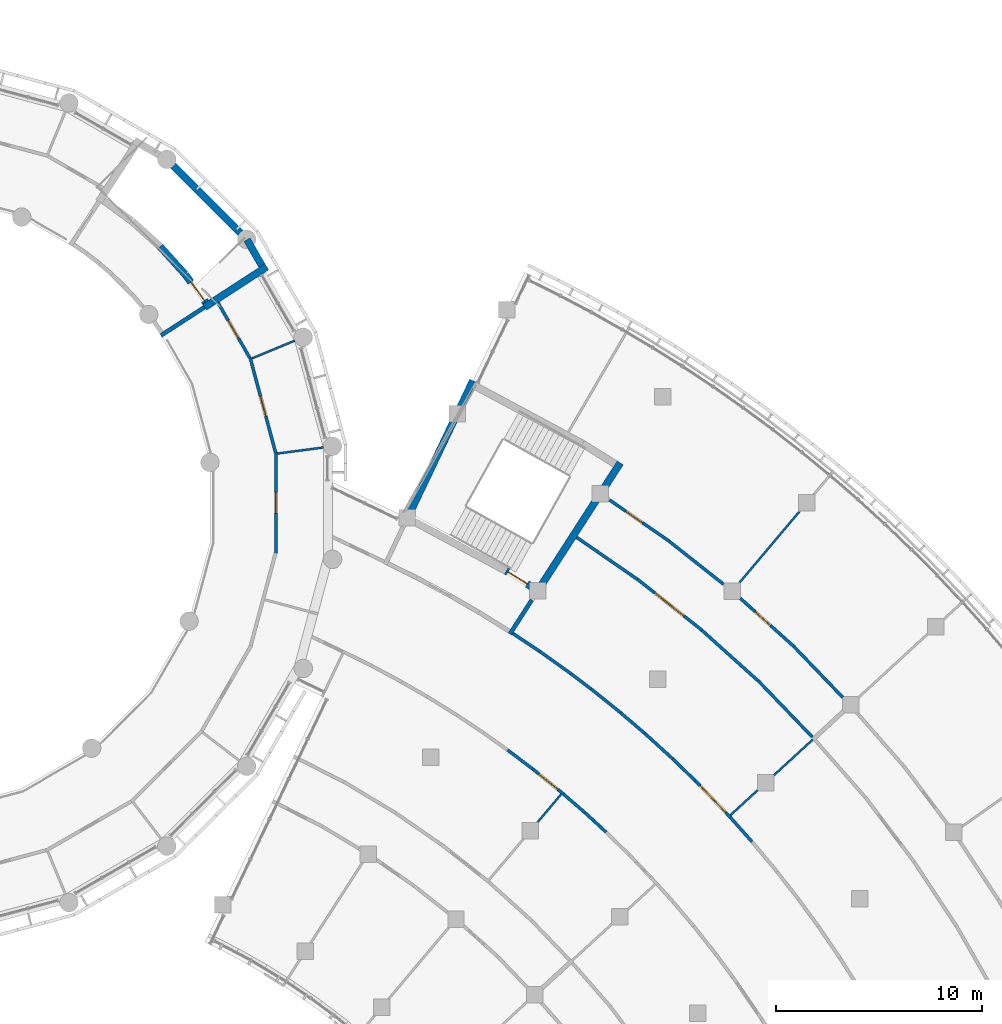
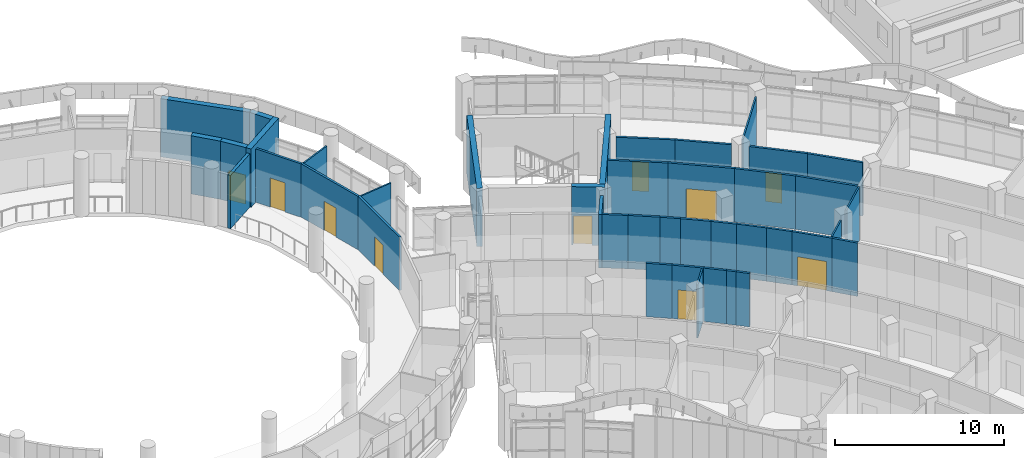
# One storey, part 51 of 109: 41 walls, 10 doors, 10 openings.
"""IFC4 building model written with IfcOpenShell, lengths in metres."""

from ifc_helpers import new_model, si_unit, direction, frame, frame_2d, origin, place, context, subcontext, project, spatial, rectangle, extrude, material, layer, layer_set, type_object, element, fill, save


model = new_model("IFC4")

# Units and contexts
model_context = context("Model", 3, precision=1e-05, world=origin(), true_north=direction((0.0, 1.0)))
body_context = subcontext(model_context, "Body", "Model", "MODEL_VIEW")
ifc_project = project(units=[si_unit("LENGTHUNIT", "METRE"), si_unit("AREAUNIT", "SQUARE_METRE"), si_unit("VOLUMEUNIT", "CUBIC_METRE"), si_unit("PLANEANGLEUNIT", "RADIAN"), si_unit("MASSUNIT", "GRAM", prefix="KILO")], contexts=[model_context])

# Site, building, storey
site_placement = place(None, origin())
site = spatial("IfcSite", under=ifc_project, at=site_placement, CompositionType="ELEMENT")
building_placement = place(site_placement, origin())
building = spatial("IfcBuilding", under=site, at=building_placement, Name="Bougainvillea Quay General Hospital", CompositionType="ELEMENT")
storey_placement = place(building_placement, frame((0.0, 0.0, 12.60009765625)))
storey = spatial("IfcBuildingStorey", under=building, at=storey_placement, Name="L02", CompositionType="ELEMENT", Elevation=12.60009765625)

# Walls
ifc_material_1 = material(Name="Gypsum board partition on steel studs", Category="steel")
ifc_layer_1 = layer(ifc_material_1, 0.10009765625)
ifc_layer_set_1 = layer_set([ifc_layer_1], Name="Gypsum board partition on steel studs")
wall_type_1 = type_object("IfcWallType", Name="Partition 100 Gypsum board partition", PredefinedType="PARTITIONING", material=ifc_layer_set_1)
wall_1_placement = place(storey_placement, frame((149.322998046875, 58.848388671875, 0.0), z_axis=(0.0, 0.0, 1.0), x_axis=(0.736546569723, 0.676386835051, 0.0)))
element("IfcWall", 1, at=wall_1_placement, inside=storey, type_object=wall_type_1, Name="Partition 100 mm", PredefinedType="PARTITIONING", context=body_context, shape_type="SweptSolid", body=[
    extrude(rectangle(XDim=1.78564453125, YDim=0.10009765625, at=frame_2d((0.892822265625, 0.0))), origin(), (0.0, 0.0, 1.0), 3.849853515625),
])
wall_2_placement = place(storey_placement, frame((151.4306640625, 60.783935546875, 0.0), z_axis=(0.0, 0.0, 1.0), x_axis=(0.736546419356, 0.676386998791, 0.0)))
element("IfcWall", 2, at=wall_2_placement, inside=storey, type_object=wall_type_1, Name="Partition 100 mm", PredefinedType="PARTITIONING", context=body_context, shape_type="SweptSolid", body=[
    extrude(rectangle(XDim=2.552734375, YDim=0.10009765625, at=frame_2d((1.2763671875, 0.0))), origin(), (0.0, 0.0, 1.0), 3.849853515625),
])
ifc_layer_2 = layer(ifc_material_1, 0.10009765625)
ifc_layer_set_2 = layer_set([ifc_layer_2], Name="Gypsum board partition on steel studs")
wall_type_2 = type_object("IfcWallType", Name="Partition 100 Gypsum board partition EI 30", PredefinedType="PARTITIONING", material=ifc_layer_set_2)
wall_3_placement = place(storey_placement, frame((149.775390625, 70.144287109375, 0.0), z_axis=(0.0, 0.0, 1.0), x_axis=(0.644456563642, 0.764640920681, 0.0)))
element("IfcWall", 3, at=wall_3_placement, inside=storey, type_object=wall_type_2, Name="Partition 100 mm EI 30", PredefinedType="PARTITIONING", context=body_context, shape_type="SweptSolid", body=[
    extrude(rectangle(XDim=4.47509765625, YDim=0.10009765625, at=frame_2d((2.237548828125, 0.0))), origin(), (0.0, 0.0, 1.0), 3.849853515625),
])
wall_4_placement = place(storey_placement, frame((139.98046875, 58.522216796875, 0.0), z_axis=(0.0, 0.0, 1.0), x_axis=(0.644495278204, 0.7646082895, 0.0)))
element("IfcWall", 4, at=wall_4_placement, inside=storey, type_object=wall_type_2, Name="Partition 100 mm EI 30", PredefinedType="PARTITIONING", context=body_context, shape_type="SweptSolid", body=[
    extrude(rectangle(XDim=1.756103515625, YDim=0.10009765625, at=frame_2d((0.8779296875, 0.0))), origin(), (0.0, 0.0, 1.0), 3.849853515625),
])
wall_5_placement = place(storey_placement, frame((126.11572265625, 81.00634765625, 0.0), z_axis=(0.0, 0.0, 1.0), x_axis=(0.923835070081, 0.382790756536, 0.0)))
element("IfcWall", 5, at=wall_5_placement, inside=storey, type_object=wall_type_2, Name="Partition 100 mm EI 30", PredefinedType="PARTITIONING", context=body_context, shape_type="SweptSolid", body=[
    extrude(rectangle(XDim=2.2431640625, YDim=0.10009765625, at=frame_2d((1.12158203125, 0.0))), origin(), (0.0, 0.0, 1.0), 3.849853515625),
])
wall_6_placement = place(storey_placement, frame((127.353515625, 76.390625, 0.0), z_axis=(0.0, 0.0, 1.0), x_axis=(0.991472443169, 0.130316516358, 0.0)))
element("IfcWall", 6, at=wall_6_placement, inside=storey, type_object=wall_type_2, Name="Partition 100 mm EI 30", PredefinedType="PARTITIONING", context=body_context, shape_type="SweptSolid", body=[
    extrude(rectangle(XDim=2.242431640625, YDim=0.10009765625, at=frame_2d((1.12109375, 0.0))), origin(), (0.0, 0.0, 1.0), 3.849853515625),
])

# Wall, opening, door
ifc_material_2 = material(Name="Gypsum board partition on steel studs, insulated", Category="steel")
ifc_layer_3 = layer(ifc_material_2, 0.14990234375)
ifc_layer_set_3 = layer_set([ifc_layer_3], Name="Gypsum board partition on steel studs, insulated")
wall_type_3 = type_object("IfcWallType", Name="Partition 150 Gypsum board partition EI 30", PredefinedType="PARTITIONING", material=ifc_layer_set_3)
wall_7_placement = place(storey_placement, frame((127.27197265625, 71.544921875, 0.0), z_axis=(0.0, 0.0, 1.0), x_axis=(0.0, 1.0, 0.0)))
wall_7 = element("IfcWall", 7, at=wall_7_placement, inside=storey, type_object=wall_type_3, Name="Partition 150 mm EI 30", PredefinedType="PARTITIONING", context=body_context, shape_type="SweptSolid", body=[
    extrude(rectangle(XDim=4.91015625, YDim=0.14990234375, at=frame_2d((2.455078125, 0.0))), origin(), (0.0, 0.0, 1.0), 3.849853515625),
])
opening_1_placement = place(wall_7_placement, frame((1.955078125, 0.0, 0.0)))
opening_1 = element("IfcOpeningElement", 8, at=opening_1_placement, cuts=wall_7, Name="Opening L02.250", PredefinedType="OPENING", context=body_context, shape_type="SweptSolid", body=[
    extrude(rectangle(XDim=1.0, YDim=2.10009765625, at=frame_2d((0.5, 1.050048828125))), frame((0.0, 0.0849609375, 0.0), z_axis=(0.0, -1.0, 0.0), x_axis=(1.0, 0.0, 0.0)), (0.0, 0.0, 1.0), 0.169921875),
])
ifc_material_3 = material(Name="Solid-core timber door leaf in steel frame", Category="steel")
door_type_1 = type_object("IfcDoorType", Name="Single leaf door 1000x2100 FD30S", OperationType="NOTDEFINED", PredefinedType="DOOR", material=ifc_material_3)
door_1_placement = place(opening_1_placement, frame((1.0, 0.0, 0.0), z_axis=(0.0, 0.0, 1.0), x_axis=(-1.0, 0.0, 0.0)))
door_1 = element("IfcDoor", 9, at=door_1_placement, inside=storey, type_object=door_type_1, Name="DT15 L02.250", OperationType="SINGLE_SWING_RIGHT", OverallHeight=2.10009765625, OverallWidth=1.0, PredefinedType="DOOR", context=body_context, shape_type="SweptSolid", body=[
    extrude(rectangle(XDim=1.0, YDim=2.10009765625, at=frame_2d((0.5, 1.050048828125))), frame((0.0, 0.02490234375, 0.0), z_axis=(0.0, -1.0, 0.0), x_axis=(1.0, 0.0, 0.0)), (0.0, 0.0, 1.0), 0.050048828125),
])
fill(opening_1, door_1)

wall_8_placement = place(storey_placement, frame((126.0205078125, 81.04736328125, 0.0), z_axis=(0.0, 0.0, 1.0), x_axis=(0.259008724248, -0.965874981953, 0.0)))
wall_8 = element("IfcWall", 10, at=wall_8_placement, inside=storey, type_object=wall_type_3, Name="Partition 150 mm EI 30", PredefinedType="PARTITIONING", context=body_context, shape_type="SweptSolid", body=[
    extrude(rectangle(XDim=4.774169921875, YDim=0.14990234375, at=frame_2d((2.38720703125, 0.0))), origin(), (0.0, 0.0, 1.0), 3.849853515625),
])
opening_2_placement = place(wall_8_placement, frame((1.95361328125, 0.0, 0.0)))
opening_2 = element("IfcOpeningElement", 11, at=opening_2_placement, cuts=wall_8, Name="Opening L02.251", PredefinedType="OPENING", context=body_context, shape_type="SweptSolid", body=[
    extrude(rectangle(XDim=1.0, YDim=2.10009765625, at=frame_2d((0.5, 1.050048828125))), frame((0.0, 0.0849609375, 0.0), z_axis=(0.0, -1.0, 0.0), x_axis=(1.0, 0.0, 0.0)), (0.0, 0.0, 1.0), 0.169921875),
])
door_2_placement = place(opening_2_placement, origin())
door_2 = element("IfcDoor", 12, at=door_2_placement, inside=storey, type_object=door_type_1, Name="DT15 L02.251", OperationType="SINGLE_SWING_RIGHT", OverallHeight=2.10009765625, OverallWidth=1.0, PredefinedType="DOOR", context=body_context, shape_type="SweptSolid", body=[
    extrude(rectangle(XDim=1.0, YDim=2.10009765625, at=frame_2d((0.5, 1.050048828125))), frame((0.0, 0.02490234375, 0.0), z_axis=(0.0, -1.0, 0.0), x_axis=(1.0, 0.0, 0.0)), (0.0, 0.0, 1.0), 0.050048828125),
])
fill(opening_2, door_2)

wall_9_placement = place(storey_placement, frame((149.79736328125, 69.36865234375, 0.0), z_axis=(0.0, 0.0, 1.0), x_axis=(0.743767308426, -0.668438621652, 0.0)))
wall_9 = element("IfcWall", 13, at=wall_9_placement, inside=storey, type_object=wall_type_3, Name="Partition 150 mm EI 30", PredefinedType="PARTITIONING", context=body_context, shape_type="SweptSolid", body=[
    extrude(rectangle(XDim=3.5390625, YDim=0.14990234375, at=frame_2d((1.76953125, 0.0))), origin(), (0.0, 0.0, 1.0), 3.849853515625),
])
opening_3_placement = place(wall_9_placement, frame((0.973876953125, 0.0, 0.0)))
opening_3 = element("IfcOpeningElement", 14, at=opening_3_placement, cuts=wall_9, Name="Opening L02.222", PredefinedType="OPENING", context=body_context, shape_type="SweptSolid", body=[
    extrude(rectangle(XDim=1.0, YDim=2.10009765625, at=frame_2d((0.5, 1.050048828125))), frame((0.0, 0.0849609375, 0.0), z_axis=(0.0, -1.0, 0.0), x_axis=(1.0, 0.0, 0.0)), (0.0, 0.0, 1.0), 0.169921875),
])
door_3_placement = place(opening_3_placement, origin())
door_3 = element("IfcDoor", 15, at=door_3_placement, inside=storey, type_object=door_type_1, Name="DT15 L02.222", OperationType="SINGLE_SWING_LEFT", OverallHeight=2.10009765625, OverallWidth=1.0, PredefinedType="DOOR", context=body_context, shape_type="SweptSolid", body=[
    extrude(rectangle(XDim=1.0, YDim=2.10009765625, at=frame_2d((0.5, 1.050048828125))), frame((0.0, 0.02490234375, 0.0), z_axis=(0.0, -1.0, 0.0), x_axis=(1.0, 0.0, 0.0)), (0.0, 0.0, 1.0), 0.050048828125),
])
fill(opening_3, door_3)

wall_10_placement = place(storey_placement, frame((143.455810546875, 74.138671875, 0.0), z_axis=(0.0, 0.0, 1.0), x_axis=(0.822701427784, -0.568473711549, 0.0)))
wall_10 = element("IfcWall", 16, at=wall_10_placement, inside=storey, type_object=wall_type_3, Name="Partition 150 mm EI 30", PredefinedType="PARTITIONING", context=body_context, shape_type="SweptSolid", body=[
    extrude(rectangle(XDim=3.5185546875, YDim=0.14990234375, at=frame_2d((1.75927734375, 0.0))), origin(), (0.0, 0.0, 1.0), 3.849853515625),
])
opening_4_placement = place(wall_10_placement, frame((0.953369140625, 0.0, 0.0)))
opening_4 = element("IfcOpeningElement", 17, at=opening_4_placement, cuts=wall_10, Name="Opening L02.221", PredefinedType="OPENING", context=body_context, shape_type="SweptSolid", body=[
    extrude(rectangle(XDim=1.0, YDim=2.10009765625, at=frame_2d((0.5, 1.050048828125))), frame((0.0, 0.0849609375, 0.0), z_axis=(0.0, -1.0, 0.0), x_axis=(1.0, 0.0, 0.0)), (0.0, 0.0, 1.0), 0.169921875),
])
door_4_placement = place(opening_4_placement, origin())
door_4 = element("IfcDoor", 18, at=door_4_placement, inside=storey, type_object=door_type_1, Name="DT15 L02.221", OperationType="SINGLE_SWING_LEFT", OverallHeight=2.10009765625, OverallWidth=1.0, PredefinedType="DOOR", context=body_context, shape_type="SweptSolid", body=[
    extrude(rectangle(XDim=1.0, YDim=2.10009765625, at=frame_2d((0.5, 1.050048828125))), frame((0.0, 0.02490234375, 0.0), z_axis=(0.0, -1.0, 0.0), x_axis=(1.0, 0.0, 0.0)), (0.0, 0.0, 1.0), 0.050048828125),
])
fill(opening_4, door_4)

# Walls
wall_11_placement = place(storey_placement, frame((146.34423828125, 72.13720703125, 0.0), z_axis=(0.0, 0.0, 1.0), x_axis=(0.784832511111, -0.619707938874, 0.0)))
element("IfcWall", 19, at=wall_11_placement, inside=storey, type_object=wall_type_3, Name="Partition 150 mm EI 30", PredefinedType="PARTITIONING", context=body_context, shape_type="SweptSolid", body=[
    extrude(rectangle(XDim=3.357666015625, YDim=0.14990234375, at=frame_2d((1.6787109375, 0.0))), origin(), (0.0, 0.0, 1.0), 3.849853515625),
])
wall_12_placement = place(storey_placement, frame((152.42236328125, 67.002685546875, 0.0), z_axis=(0.0, 0.0, 1.0), x_axis=(0.693269716966, -0.720678221912, 0.0)))
element("IfcWall", 20, at=wall_12_placement, inside=storey, type_object=wall_type_3, Name="Partition 150 mm EI 30", PredefinedType="PARTITIONING", context=body_context, shape_type="SweptSolid", body=[
    extrude(rectangle(XDim=3.393798828125, YDim=0.14990234375, at=frame_2d((1.69677734375, 0.0))), origin(), (0.0, 0.0, 1.0), 3.849853515625),
])

# Wall, opening, door
wall_13_placement = place(storey_placement, frame((144.802978515625, 70.297607421875, 0.0), z_axis=(0.0, 0.0, 1.0), x_axis=(0.784917321289, -0.619600515445, 0.0)))
wall_13 = element("IfcWall", 21, at=wall_13_placement, inside=storey, type_object=wall_type_3, Name="Partition 150 mm EI 30", PredefinedType="PARTITIONING", context=body_context, shape_type="SweptSolid", body=[
    extrude(rectangle(XDim=3.978515625, YDim=0.14990234375, at=frame_2d((1.9892578125, 0.0))), origin(), (0.0, 0.0, 1.0), 3.849853515625),
])
opening_5_placement = place(wall_13_placement, frame((1.089111328125, 0.0, 0.0)))
opening_5 = element("IfcOpeningElement", 22, at=opening_5_placement, cuts=wall_13, Name="Opening L02.181", PredefinedType="OPENING", context=body_context, shape_type="SweptSolid", body=[
    extrude(rectangle(XDim=1.800048828125, YDim=2.10009765625, at=frame_2d((0.89990234375, 1.050048828125))), frame((0.0, 0.0849609375, 0.0), z_axis=(0.0, -1.0, 0.0), x_axis=(1.0, 0.0, 0.0)), (0.0, 0.0, 1.0), 0.169921875),
])
ifc_material_4 = material(Name="Solid-core timber door leaves in steel frame", Category="steel")
door_type_2 = type_object("IfcDoorType", Name="Double leaf door 1800x2100", OperationType="DOUBLE_DOOR_SINGLE_SWING", PredefinedType="DOOR", material=ifc_material_4)
door_5_placement = place(opening_5_placement, origin())
door_5 = element("IfcDoor", 23, at=door_5_placement, inside=storey, type_object=door_type_2, Name="DT08 L02.181", OperationType="DOUBLE_DOOR_SINGLE_SWING", OverallHeight=2.10009765625, OverallWidth=1.800048828125, PredefinedType="DOOR", context=body_context, shape_type="SweptSolid", body=[
    extrude(rectangle(XDim=1.800048828125, YDim=2.10009765625, at=frame_2d((0.89990234375, 1.050048828125))), frame((0.0, 0.02490234375, 0.0), z_axis=(0.0, -1.0, 0.0), x_axis=(1.0, 0.0, 0.0)), (0.0, 0.0, 1.0), 0.050048828125),
])
fill(opening_5, door_5)

# Walls
wall_14_placement = place(storey_placement, frame((141.85888671875, 72.326171875, 0.0), z_axis=(0.0, 0.0, 1.0), x_axis=(0.822680463987, -0.568504049391, 0.0)))
element("IfcWall", 24, at=wall_14_placement, inside=storey, type_object=wall_type_3, Name="Partition 150 mm EI 30", PredefinedType="PARTITIONING", context=body_context, shape_type="SweptSolid", body=[
    extrude(rectangle(XDim=3.579833984375, YDim=0.14990234375, at=frame_2d((1.7900390625, 0.0))), origin(), (0.0, 0.0, 1.0), 3.849853515625),
])
wall_15_placement = place(storey_placement, frame((150.660888671875, 65.3740234375, 0.0), z_axis=(0.0, 0.0, 1.0), x_axis=(0.693403633232, -0.720549374728, 0.0)))
element("IfcWall", 25, at=wall_15_placement, inside=storey, type_object=wall_type_3, Name="Partition 150 mm EI 30", PredefinedType="PARTITIONING", context=body_context, shape_type="SweptSolid", body=[
    extrude(rectangle(XDim=3.804443359375, YDim=0.14990234375, at=frame_2d((1.90234375, 0.0))), origin(), (0.0, 0.0, 1.0), 3.849853515625),
])
wall_16_placement = place(storey_placement, frame((147.91943359375, 67.831787109375, 0.0), z_axis=(0.0, 0.0, 1.0), x_axis=(0.743593711798, -0.668631731056, 0.0)))
element("IfcWall", 26, at=wall_16_placement, inside=storey, type_object=wall_type_3, Name="Partition 150 mm EI 30", PredefinedType="PARTITIONING", context=body_context, shape_type="SweptSolid", body=[
    extrude(rectangle(XDim=3.686767578125, YDim=0.14990234375, at=frame_2d((1.84326171875, 0.0))), origin(), (0.0, 0.0, 1.0), 3.849853515625),
])

# Wall, opening, door
wall_17_placement = place(storey_placement, frame((124.466552734375, 83.700927734375, 0.0), z_axis=(0.0, 0.0, 1.0), x_axis=(0.499895749011, -0.866085584755, 0.0)))
wall_17 = element("IfcWall", 27, at=wall_17_placement, inside=storey, type_object=wall_type_3, Name="Partition 150 mm EI 30", PredefinedType="PARTITIONING", context=body_context, shape_type="SweptSolid", body=[
    extrude(rectangle(XDim=3.089599609375, YDim=0.14990234375, at=frame_2d((1.544921875, 0.0))), origin(), (0.0, 0.0, 1.0), 3.849853515625),
])
opening_6_placement = place(wall_17_placement, frame((0.984375, 0.0, 0.0)))
opening_6 = element("IfcOpeningElement", 28, at=opening_6_placement, cuts=wall_17, Name="Opening L02.252", PredefinedType="OPENING", context=body_context, shape_type="SweptSolid", body=[
    extrude(rectangle(XDim=1.0, YDim=2.10009765625, at=frame_2d((0.5, 1.050048828125))), frame((0.0, 0.0849609375, 0.0), z_axis=(0.0, -1.0, 0.0), x_axis=(1.0, 0.0, 0.0)), (0.0, 0.0, 1.0), 0.169921875),
])
door_6_placement = place(opening_6_placement, origin())
door_6 = element("IfcDoor", 29, at=door_6_placement, inside=storey, type_object=door_type_1, Name="DT15 L02.252", OperationType="SINGLE_SWING_LEFT", OverallHeight=2.10009765625, OverallWidth=1.0, PredefinedType="DOOR", context=body_context, shape_type="SweptSolid", body=[
    extrude(rectangle(XDim=1.0, YDim=2.10009765625, at=frame_2d((0.5, 1.050048828125))), frame((0.0, 0.02490234375, 0.0), z_axis=(0.0, -1.0, 0.0), x_axis=(1.0, 0.0, 0.0)), (0.0, 0.0, 1.0), 0.050048828125),
])
fill(opening_6, door_6)

wall_18_placement = place(storey_placement, frame((147.614990234375, 60.521240234375, 0.0), z_axis=(0.0, 0.0, 1.0), x_axis=(0.691827849504, -0.722062481127, 0.0)))
wall_18 = element("IfcWall", 30, at=wall_18_placement, inside=storey, type_object=wall_type_3, Name="Partition 150 mm EI 30", PredefinedType="PARTITIONING", context=body_context, shape_type="SweptSolid", body=[
    extrude(rectangle(XDim=2.462890625, YDim=0.14990234375, at=frame_2d((1.2314453125, 0.0))), origin(), (0.0, 0.0, 1.0), 3.849853515625),
])
opening_7_placement = place(wall_18_placement, frame((0.331298828125, 0.0, 0.0)))
opening_7 = element("IfcOpeningElement", 31, at=opening_7_placement, cuts=wall_18, Name="Opening L02.195", PredefinedType="OPENING", context=body_context, shape_type="SweptSolid", body=[
    extrude(rectangle(XDim=1.800048828125, YDim=2.10009765625, at=frame_2d((0.89990234375, 1.050048828125))), frame((0.0, 0.0849609375, 0.0), z_axis=(0.0, -1.0, 0.0), x_axis=(1.0, 0.0, 0.0)), (0.0, 0.0, 1.0), 0.169921875),
])
door_7_placement = place(opening_7_placement, frame((1.800048828125, 0.0, 0.0), z_axis=(0.0, 0.0, 1.0), x_axis=(-1.0, 0.0, 0.0)))
door_7 = element("IfcDoor", 32, at=door_7_placement, inside=storey, type_object=door_type_2, Name="DT08 L02.195", OperationType="DOUBLE_DOOR_SINGLE_SWING", OverallHeight=2.10009765625, OverallWidth=1.800048828125, PredefinedType="DOOR", context=body_context, shape_type="SweptSolid", body=[
    extrude(rectangle(XDim=1.800048828125, YDim=2.10009765625, at=frame_2d((0.89990234375, 1.050048828125))), frame((0.0, 0.02490234375, 0.0), z_axis=(0.0, -1.0, 0.0), x_axis=(1.0, 0.0, 0.0)), (0.0, 0.0, 1.0), 0.050048828125),
])
fill(opening_7, door_7)

wall_19_placement = place(storey_placement, frame((139.75, 61.074462890625, 0.0), z_axis=(0.0, 0.0, 1.0), x_axis=(0.774713973469, -0.63231183708, 0.0)))
wall_19 = element("IfcWall", 33, at=wall_19_placement, inside=storey, type_object=wall_type_3, Name="Partition 150 mm EI 30", PredefinedType="PARTITIONING", context=body_context, shape_type="SweptSolid", body=[
    extrude(rectangle(XDim=1.896240234375, YDim=0.14990234375, at=frame_2d((0.9482421875, 0.0))), origin(), (0.0, 0.0, 1.0), 3.849853515625),
])
opening_8_placement = place(wall_19_placement, frame((0.34814453125, 0.0, 0.0)))
opening_8 = element("IfcOpeningElement", 34, at=opening_8_placement, cuts=wall_19, Name="Opening L02.198", PredefinedType="OPENING", context=body_context, shape_type="SweptSolid", body=[
    extrude(rectangle(XDim=1.199951171875, YDim=2.10009765625, at=frame_2d((0.60009765625, 1.050048828125))), frame((0.0, 0.0849609375, 0.0), z_axis=(0.0, -1.0, 0.0), x_axis=(1.0, 0.0, 0.0)), (0.0, 0.0, 1.0), 0.169921875),
])
door_type_3 = type_object("IfcDoorType", Name="Single leaf door 1200x2100", OperationType="NOTDEFINED", PredefinedType="DOOR", material=ifc_material_3)
door_8_placement = place(opening_8_placement, origin())
door_8 = element("IfcDoor", 35, at=door_8_placement, inside=storey, type_object=door_type_3, Name="DT13 L02.198", OperationType="SINGLE_SWING_RIGHT", OverallHeight=2.10009765625, OverallWidth=1.199951171875, PredefinedType="DOOR", context=body_context, shape_type="SweptSolid", body=[
    extrude(rectangle(XDim=1.199951171875, YDim=2.10009765625, at=frame_2d((0.60009765625, 1.050048828125))), frame((0.0, 0.02490234375, 0.0), z_axis=(0.0, -1.0, 0.0), x_axis=(1.0, 0.0, 0.0)), (0.0, 0.0, 1.0), 0.050048828125),
])
fill(opening_8, door_8)

# Walls
wall_20_placement = place(storey_placement, frame((140.06103515625, 66.800537109375, 0.0), z_axis=(0.0, 0.0, 1.0), x_axis=(0.81360220793, -0.581421918448, 0.0)))
element("IfcWall", 36, at=wall_20_placement, inside=storey, type_object=wall_type_3, Name="Partition 150 mm EI 30", PredefinedType="PARTITIONING", context=body_context, shape_type="SweptSolid", body=[
    extrude(rectangle(XDim=1.88525390625, YDim=0.14990234375, at=frame_2d((0.942626953125, 0.0))), origin(), (0.0, 0.0, 1.0), 3.849853515625),
])
wall_21_placement = place(storey_placement, frame((149.31494140625, 58.742919921875, 0.0), z_axis=(0.0, 0.0, 1.0), x_axis=(0.664440066627, -0.747341553683, 0.0)))
element("IfcWall", 37, at=wall_21_placement, inside=storey, type_object=wall_type_3, Name="Partition 150 mm EI 30", PredefinedType="PARTITIONING", context=body_context, shape_type="SweptSolid", body=[
    extrude(rectangle(XDim=1.59033203125, YDim=0.14990234375, at=frame_2d((0.795166015625, 0.0))), origin(), (0.0, 0.0, 1.0), 3.849853515625),
])
wall_22_placement = place(storey_placement, frame((138.76416015625, 67.6640625, 0.0), z_axis=(0.0, 0.0, 1.0), x_axis=(0.831520299658, -0.555494366539, 0.0)))
element("IfcWall", 38, at=wall_22_placement, inside=storey, type_object=wall_type_3, Name="Partition 150 mm EI 30", PredefinedType="PARTITIONING", context=body_context, shape_type="SweptSolid", body=[
    extrude(rectangle(XDim=1.560302734375, YDim=0.14990234375, at=frame_2d((0.7802734375, 0.0))), origin(), (0.0, 0.0, 1.0), 3.849853515625),
])
for number, where, z_axis, x_axis, name in (
    (39, (142.565673828125, 64.968017578125, 0.0), (0.0, 0.0, 1.0), (0.779281308286, -0.626674271496, 0.0), "Partition 150 mm EI 30"),
    (40, (145.15869140625, 62.822509765625, 0.0), (0.0, 0.0, 1.0), (0.738981194843, -0.67372605239, 0.0), "Partition 150 mm EI 30"),
):
    element("IfcWall", number, at=place(storey_placement, frame(where, z_axis=z_axis, x_axis=x_axis)), inside=storey, type_object=wall_type_3, Name=name, PredefinedType="PARTITIONING", context=body_context, shape_type="SweptSolid", body=[
        extrude(rectangle(XDim=1.833251953125, YDim=0.14990234375, at=frame_2d((0.91650390625, 0.0))), origin(), (0.0, 0.0, 1.0), 3.849853515625),
    ])
wall_23_placement = place(storey_placement, frame((146.51025390625, 61.58740234375, 0.0), z_axis=(0.0, 0.0, 1.0), x_axis=(0.718287322607, -0.695746593367, 0.0)))
element("IfcWall", 41, at=wall_23_placement, inside=storey, type_object=wall_type_3, Name="Partition 150 mm EI 30", PredefinedType="PARTITIONING", context=body_context, shape_type="SweptSolid", body=[
    extrude(rectangle(XDim=1.5380859375, YDim=0.14990234375, at=frame_2d((0.76904296875, 0.0))), origin(), (0.0, 0.0, 1.0), 3.849853515625),
])
wall_24_placement = place(storey_placement, frame((143.9912109375, 63.818603515625, 0.0), z_axis=(0.0, 0.0, 1.0), x_axis=(0.75971620126, -0.65025479125, 0.0)))
element("IfcWall", 42, at=wall_24_placement, inside=storey, type_object=wall_type_3, Name="Partition 150 mm EI 30", PredefinedType="PARTITIONING", context=body_context, shape_type="SweptSolid", body=[
    extrude(rectangle(XDim=1.53662109375, YDim=0.14990234375, at=frame_2d((0.768310546875, 0.0))), origin(), (0.0, 0.0, 1.0), 3.849853515625),
])
wall_25_placement = place(storey_placement, frame((138.50634765625, 62.015380859375, 0.0), z_axis=(0.0, 0.0, 1.0), x_axis=(0.7964030968, -0.604766159278, 0.0)))
element("IfcWall", 43, at=wall_25_placement, inside=storey, type_object=wall_type_3, Name="Partition 150 mm EI 30", PredefinedType="PARTITIONING", context=body_context, shape_type="SweptSolid", body=[
    extrude(rectangle(XDim=1.56201171875, YDim=0.14990234375, at=frame_2d((0.781005859375, 0.0))), origin(), (0.0, 0.0, 1.0), 3.849853515625),
])
wall_26_placement = place(storey_placement, frame((141.21630859375, 59.875244140625, 0.0), z_axis=(0.0, 0.0, 1.0), x_axis=(0.7566031668, -0.653874336542, 0.0)))
element("IfcWall", 44, at=wall_26_placement, inside=storey, type_object=wall_type_3, Name="Partition 150 mm EI 30", PredefinedType="PARTITIONING", context=body_context, shape_type="SweptSolid", body=[
    extrude(rectangle(XDim=1.37353515625, YDim=0.14990234375, at=frame_2d((0.686767578125, 0.0))), origin(), (0.0, 0.0, 1.0), 3.849853515625),
])
wall_27_placement = place(storey_placement, frame((141.592041015625, 65.703857421875, 0.0), z_axis=(0.0, 0.0, 1.0), x_axis=(0.79670453549, -0.604368995837, 0.0)))
element("IfcWall", 45, at=wall_27_placement, inside=storey, type_object=wall_type_3, Name="Partition 150 mm EI 30", PredefinedType="PARTITIONING", context=body_context, shape_type="SweptSolid", body=[
    extrude(rectangle(XDim=1.222412109375, YDim=0.14990234375, at=frame_2d((0.611328125, 0.0))), origin(), (0.0, 0.0, 1.0), 3.849853515625),
])
wall_28_placement = place(storey_placement, frame((142.68603515625, 58.5830078125, 0.0), z_axis=(0.0, 0.0, 1.0), x_axis=(0.732730451649, -0.680518982268, 0.0)))
element("IfcWall", 46, at=wall_28_placement, inside=storey, type_object=wall_type_3, Name="Partition 150 mm EI 30", PredefinedType="PARTITIONING", context=body_context, shape_type="SweptSolid", body=[
    extrude(rectangle(XDim=0.82763671875, YDim=0.14990234375, at=frame_2d((0.413818359375, 0.0))), origin(), (0.0, 0.0, 1.0), 3.849853515625),
])
wall_29_placement = place(storey_placement, frame((142.2529296875, 58.976806640625, 0.0), z_axis=(0.0, 0.0, 1.0), x_axis=(0.739127036188, -0.673566050492, 0.0)))
element("IfcWall", 47, at=wall_29_placement, inside=storey, type_object=wall_type_3, Name="Partition 150 mm EI 30", PredefinedType="PARTITIONING", context=body_context, shape_type="SweptSolid", body=[
    extrude(rectangle(XDim=0.584716796875, YDim=0.14990234375, at=frame_2d((0.29248046875, 0.0))), origin(), (0.0, 0.0, 1.0), 3.849853515625),
])
ifc_material_5 = material(Name="Fire-rated autoclaved aerated block wall, plastered")
ifc_layer_4 = layer(ifc_material_5, 0.199951171875)
ifc_layer_set_4 = layer_set([ifc_layer_4], Name="Fire-rated autoclaved aerated block wall, plastered")
wall_type_4 = type_object("IfcWallType", Name="Partition 200 Fire-rated autoclaved aerated block wall EI 120", PredefinedType="SOLIDWALL", material=ifc_layer_set_4)
wall_30_placement = place(storey_placement, frame((121.696044921875, 82.115478515625, 0.0), z_axis=(0.0, 0.0, 1.0), x_axis=(0.838726213853, 0.544553338247, 0.0)))
element("IfcWall", 48, at=wall_30_placement, inside=storey, type_object=wall_type_4, Name="Partition 200 mm EI 120", PredefinedType="SOLIDWALL", context=body_context, shape_type="SweptSolid", body=[
    extrude(rectangle(XDim=2.525390625, YDim=0.199951171875, at=frame_2d((1.2626953125, 0.0))), origin(), (0.0, 0.0, 1.0), 3.849853515625),
])
wall_31_placement = place(storey_placement, frame((138.624755859375, 67.636962890625, 0.0), z_axis=(0.0, 0.0, 1.0), x_axis=(0.541789312023, 0.840514331453, 0.0)))
element("IfcWall", 49, at=wall_31_placement, inside=storey, type_object=wall_type_4, Name="Partition 200 mm EI 120", PredefinedType="SOLIDWALL", context=body_context, shape_type="SweptSolid", body=[
    extrude(rectangle(XDim=1.960693359375, YDim=0.199951171875, at=frame_2d((0.98046875, 0.0))), origin(), (0.0, 0.0, 1.0), 3.849853515625),
])
ifc_material_6 = material(Name="Concrete C40", Category="concrete")
ifc_layer_5 = layer(ifc_material_6, 0.35009765625)
ifc_layer_set_5 = layer_set([ifc_layer_5], Name="Concrete C40")
wall_type_5 = type_object("IfcWallType", Name="RC SHEAR WALL 350 C40", PredefinedType="SHEAR", material=ifc_layer_set_5)
wall_32_placement = place(storey_placement, frame((121.651123046875, 86.438232421875, 0.0), z_axis=(0.0, 0.0, 1.0), x_axis=(0.669201321397, -0.743081147279, 0.0)))
element("IfcWall", 50, at=wall_32_placement, inside=storey, type_object=wall_type_5, Name="Shear wall L02", PredefinedType="SHEAR", context=body_context, shape_type="SweptSolid", body=[
    extrude(rectangle(XDim=1.82421875, YDim=0.35009765625, at=frame_2d((0.912109375, 0.0))), origin(), (0.0, 0.0, 1.0), 4.199951171875),
])
wall_33_placement = place(storey_placement, frame((122.000244140625, 90.643798828125, 0.0), z_axis=(0.0, 0.0, 1.0), x_axis=(0.707106781187, -0.707106781187, 0.0)))
element("IfcWall", 51, at=wall_33_placement, inside=storey, type_object=wall_type_5, Name="Shear wall L02", PredefinedType="SHEAR", context=body_context, shape_type="SweptSolid", body=[
    extrude(rectangle(XDim=5.435546875, YDim=0.35009765625, at=frame_2d((2.7177734375, 0.0))), origin(), (0.0, 0.0, 1.0), 4.199951171875),
])

# Wall, opening, door
wall_34_placement = place(storey_placement, frame((122.88330078125, 85.068603515625, 0.0), z_axis=(0.0, 0.0, 1.0), x_axis=(0.587987813155, -0.808869786542, 0.0)))
wall_34 = element("IfcWall", 52, at=wall_34_placement, inside=storey, type_object=wall_type_5, Name="Shear wall L02", PredefinedType="SHEAR", context=body_context, shape_type="SweptSolid", body=[
    extrude(rectangle(XDim=1.657958984375, YDim=0.35009765625, at=frame_2d((0.8291015625, 0.0))), origin(), (0.0, 0.0, 1.0), 4.199951171875),
])
opening_9_placement = place(wall_34_placement, frame((0.457763671875, 0.0, 0.0)))
opening_9 = element("IfcOpeningElement", 53, at=opening_9_placement, cuts=wall_34, Name="Opening L02.277", PredefinedType="OPENING", context=body_context, shape_type="SweptSolid", body=[
    extrude(rectangle(XDim=1.10009765625, YDim=2.10009765625, at=frame_2d((0.550048828125, 1.050048828125))), frame((0.0, 0.18505859375, 0.0), z_axis=(0.0, -1.0, 0.0), x_axis=(1.0, 0.0, 0.0)), (0.0, 0.0, 1.0), 0.3701171875),
])
ifc_material_7 = material(Name="Steel fire door leaf in steel frame", Category="steel")
door_type_4 = type_object("IfcDoorType", Name="Steel single leaf door 1100x2100 FD60", OperationType="NOTDEFINED", PredefinedType="DOOR", material=ifc_material_7)
door_9_placement = place(opening_9_placement, origin())
door_9 = element("IfcDoor", 54, at=door_9_placement, inside=storey, type_object=door_type_4, Name="DT04 L02.277", OperationType="SINGLE_SWING_RIGHT", OverallHeight=2.10009765625, OverallWidth=1.10009765625, PredefinedType="DOOR", context=body_context, shape_type="SweptSolid", body=[
    extrude(rectangle(XDim=1.10009765625, YDim=2.10009765625, at=frame_2d((0.550048828125, 1.050048828125))), frame((0.0, 0.02490234375, 0.0), z_axis=(0.0, -1.0, 0.0), x_axis=(1.0, 0.0, 0.0)), (0.0, 0.0, 1.0), 0.050048828125),
])
fill(opening_9, door_9)

# Walls
wall_35_placement = place(storey_placement, frame((123.814208984375, 83.49072265625, 0.0), z_axis=(0.0, 0.0, 1.0), x_axis=(0.838691576971, 0.544606682587, 0.0)))
element("IfcWall", 55, at=wall_35_placement, inside=storey, type_object=wall_type_5, Name="Shear wall L02", PredefinedType="SHEAR", context=body_context, shape_type="SweptSolid", body=[
    extrude(rectangle(XDim=3.597900390625, YDim=0.35009765625, at=frame_2d((1.798828125, 0.0))), origin(), (0.0, 0.0, 1.0), 4.199951171875),
])
wall_36_placement = place(storey_placement, frame((125.87158203125, 86.76416015625, 0.0), z_axis=(0.0, 0.0, 1.0), x_axis=(0.499882561262, -0.866093196455, 0.0)))
element("IfcWall", 56, at=wall_36_placement, inside=storey, type_object=wall_type_5, Name="Shear wall L02", PredefinedType="SHEAR", context=body_context, shape_type="SweptSolid", body=[
    extrude(rectangle(XDim=1.451904296875, YDim=0.35009765625, at=frame_2d((0.72607421875, 0.0))), origin(), (0.0, 0.0, 1.0), 4.199951171875),
])
wall_37_placement = place(storey_placement, frame((133.57763671875, 73.109130859375, 0.0), z_axis=(0.0, 0.0, 1.0), x_axis=(0.430592498036, 0.90254645345, 0.0)))
element("IfcWall", 57, at=wall_37_placement, inside=storey, type_object=wall_type_5, Name="Shear wall L02", PredefinedType="SHEAR", context=body_context, shape_type="SweptSolid", body=[
    extrude(rectangle(XDim=7.549560546875, YDim=0.35009765625, at=frame_2d((3.77490234375, 0.0))), origin(), (0.0, 0.0, 1.0), 4.199951171875),
])

# Wall, opening, door
wall_38_placement = place(storey_placement, frame((138.44580078125, 70.692138671875, 0.0), z_axis=(0.0, 0.0, 1.0), x_axis=(0.849028347245, -0.528347296363, 0.0)))
wall_38 = element("IfcWall", 58, at=wall_38_placement, inside=storey, type_object=wall_type_5, Name="Shear wall L02", PredefinedType="SHEAR", context=body_context, shape_type="SweptSolid", body=[
    extrude(rectangle(XDim=1.98095703125, YDim=0.35009765625, at=frame_2d((0.990478515625, 0.0))), origin(), (0.0, 0.0, 1.0), 4.199951171875),
])
opening_10_placement = place(wall_38_placement, frame((0.10009765625, 0.0, 0.0)))
opening_10 = element("IfcOpeningElement", 59, at=opening_10_placement, cuts=wall_38, Name="Opening L02.269", PredefinedType="OPENING", context=body_context, shape_type="SweptSolid", body=[
    extrude(rectangle(XDim=1.10009765625, YDim=2.10009765625, at=frame_2d((0.550048828125, 1.050048828125))), frame((0.0, 0.18505859375, 0.0), z_axis=(0.0, -1.0, 0.0), x_axis=(1.0, 0.0, 0.0)), (0.0, 0.0, 1.0), 0.3701171875),
])
door_10_placement = place(opening_10_placement, origin())
door_10 = element("IfcDoor", 60, at=door_10_placement, inside=storey, type_object=door_type_4, Name="DT04 L02.269", OperationType="SINGLE_SWING_LEFT", OverallHeight=2.10009765625, OverallWidth=1.10009765625, PredefinedType="DOOR", context=body_context, shape_type="SweptSolid", body=[
    extrude(rectangle(XDim=1.10009765625, YDim=2.10009765625, at=frame_2d((0.550048828125, 1.050048828125))), frame((0.0, 0.02490234375, 0.0), z_axis=(0.0, -1.0, 0.0), x_axis=(1.0, 0.0, 0.0)), (0.0, 0.0, 1.0), 0.050048828125),
])
fill(opening_10, door_10)

# Wall
wall_39_placement = place(storey_placement, frame((140.07373046875, 69.885009765625, 0.0), z_axis=(0.0, 0.0, 1.0), x_axis=(0.541951537975, 0.840409739643, 0.0)))
element("IfcWall", 61, at=wall_39_placement, inside=storey, type_object=wall_type_5, Name="Shear wall L02", PredefinedType="SHEAR", context=body_context, shape_type="SweptSolid", body=[
    extrude(rectangle(XDim=7.2001953125, YDim=0.35009765625, at=frame_2d((3.60009765625, 0.0))), origin(), (0.0, 0.0, 1.0), 4.199951171875),
])

save(model, "model.ifc")
